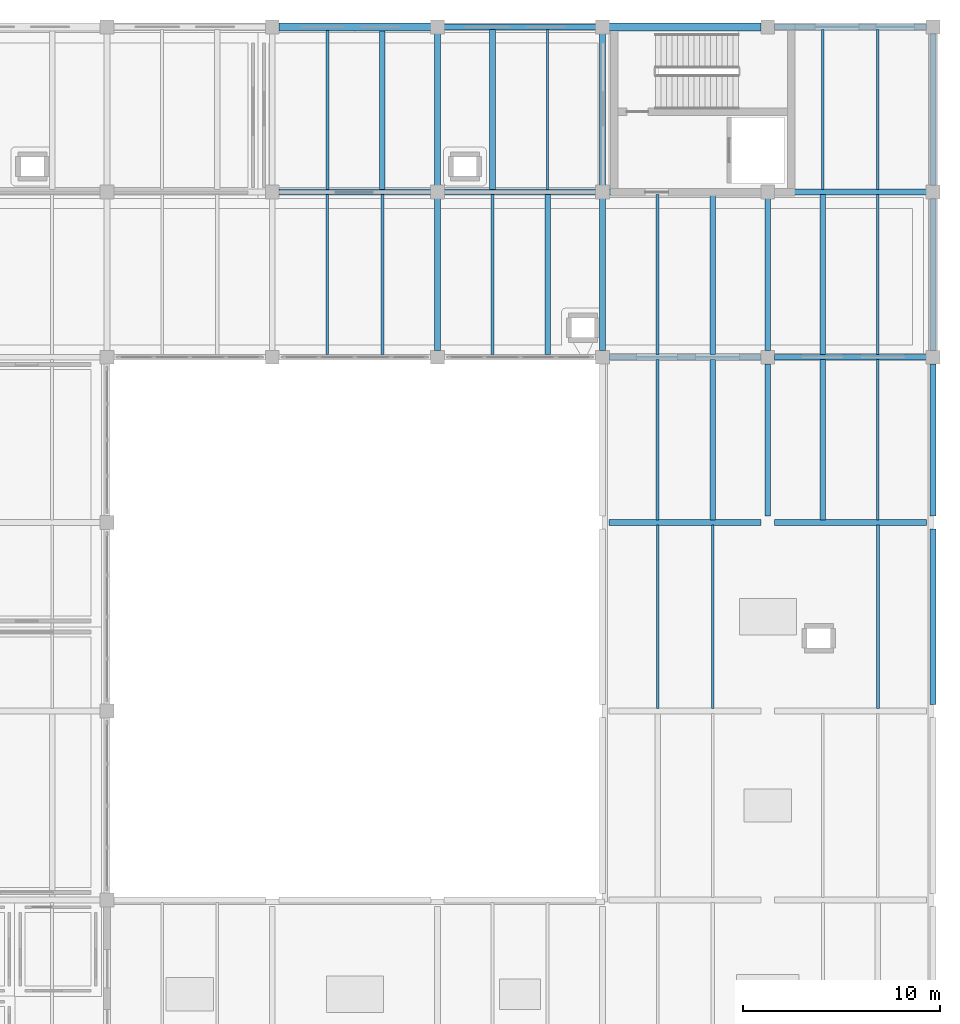
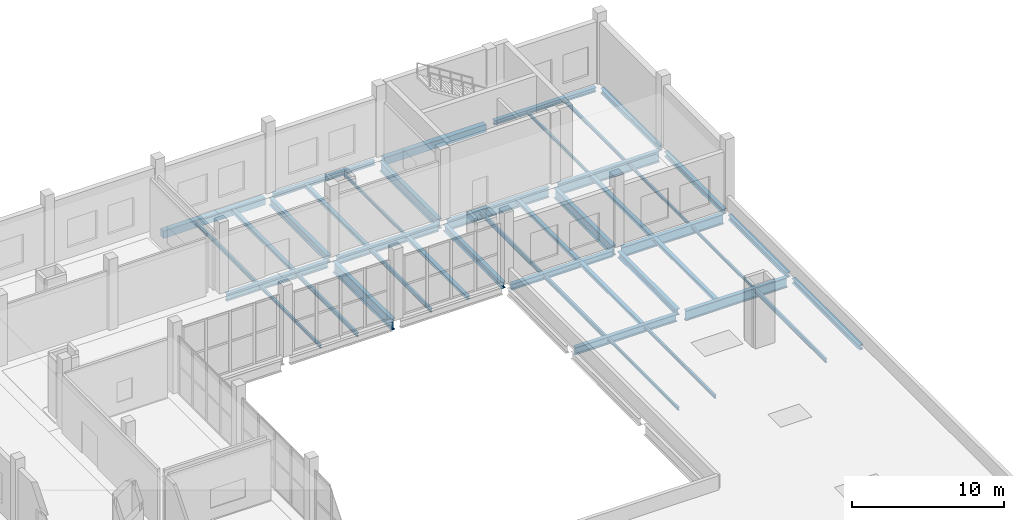
# One storey, part 27 of 49: 43 beams.
"""IFC4 building model written with IfcOpenShell, lengths in metres."""

import ifcopenshell
import ifcopenshell.guid

model = None  # the IFC model being written
_history = None  # IfcOwnerHistory: only IFC2X3 demands one
_inside = {}  # id of a spatial element -> (the spatial element, [elements in it])
_under = {}  # id of a project, library or spatial element -> (it, [spatial elements below it])
_declared = {}  # id of a project -> (the project, [libraries it declares])
_typed = {}  # id of a type object -> (the type object, [elements of that type])
_made_of = {}  # id of a material, layer set ... -> (it, [elements and type objects made of it])


def new_model(schema):
    """Start an empty IFC model of exactly this schema.

    Asked for "IFC4X3", IfcOpenShell would pick the latest addendum, in which some entities
    have other attributes; the version numbers below select the first issue.
    IFC2X3 requires an IfcOwnerHistory on every rooted entity: one is made here for all.
    """
    global model, _history
    if schema == "IFC4X3":
        model = ifcopenshell.file(schema_version=(4, 3, 0, 0))
    else:
        model = ifcopenshell.file(schema=schema)
    _inside.clear()
    _under.clear()
    _declared.clear()
    _typed.clear()
    _made_of.clear()
    _history = None
    if model.schema == "IFC2X3":
        org = make("IfcOrganization", Name="unknown")
        user = make(
            "IfcPersonAndOrganization",
            ThePerson=make("IfcPerson", FamilyName="unknown"),
            TheOrganization=org,
        )
        app = make(
            "IfcApplication",
            ApplicationDeveloper=org,
            Version="unknown",
            ApplicationFullName="unknown",
            ApplicationIdentifier="unknown",
        )
        _history = make(
            "IfcOwnerHistory",
            OwningUser=user,
            OwningApplication=app,
            ChangeAction="ADDED",
            CreationDate=0,
        )
    return model


def make(cls, **values):
    """One entity of the class cls with the attributes given. An attribute that is None is left unset."""
    return model.create_entity(
        cls, **{name: value for name, value in values.items() if value is not None}
    )


def rooted(cls, **values):
    """An entity with a GlobalId (a new one), such as an element, a storey or a relation."""
    return make(cls, GlobalId=ifcopenshell.guid.new(), OwnerHistory=_history, **values)


def si_unit(unit_type, name, prefix=None):
    """IfcSIUnit, for example si_unit("LENGTHUNIT", "METRE", prefix="MILLI")."""
    return make("IfcSIUnit", UnitType=unit_type, Prefix=prefix, Name=name)


def assignment(units):
    """IfcUnitAssignment: the units of a project."""
    return None if units is None else make("IfcUnitAssignment", Units=units)


def point(xyz):
    """IfcCartesianPoint."""
    return None if xyz is None else make("IfcCartesianPoint", Coordinates=xyz)


def direction(xyz):
    """IfcDirection."""
    return None if xyz is None else make("IfcDirection", DirectionRatios=xyz)


def frame(location, z_axis=None, x_axis=None):
    """IfcAxis2Placement3D, a coordinate frame: its origin and axes. An axis left out is left unset."""
    return make(
        "IfcAxis2Placement3D",
        Location=point(location),
        Axis=direction(z_axis),
        RefDirection=direction(x_axis),
    )


def frame_2d(location, x_axis=None):
    """IfcAxis2Placement2D, a coordinate frame in the plane: its origin and x axis."""
    return make(
        "IfcAxis2Placement2D", Location=point(location), RefDirection=direction(x_axis)
    )


def origin():
    """The frame at (0, 0, 0) with its axes left unset."""
    return frame((0.0, 0.0, 0.0))


def origin_2d():
    """The frame at (0, 0) in the plane with its x axis left unset."""
    return frame_2d((0.0, 0.0))


def place(relative_to, where):
    """IfcLocalPlacement: puts the frame where relative to a parent placement (None: the world)."""
    return make(
        "IfcLocalPlacement", PlacementRelTo=relative_to, RelativePlacement=where
    )


def context(
    kind, dimensions, precision=None, world=None, true_north=None, identifier=None
):
    """IfcGeometricRepresentationContext, for example the 3D "Model" context."""
    return make(
        "IfcGeometricRepresentationContext",
        ContextIdentifier=identifier,
        ContextType=kind,
        CoordinateSpaceDimension=dimensions,
        Precision=precision,
        WorldCoordinateSystem=world,
        TrueNorth=true_north,
    )


def subcontext(parent, identifier, kind, view, scale=None):
    """IfcGeometricRepresentationSubContext, for example "Body" below "Model"."""
    return make(
        "IfcGeometricRepresentationSubContext",
        ContextIdentifier=identifier,
        ContextType=kind,
        ParentContext=parent,
        TargetScale=scale,
        TargetView=view,
    )


def project(units=None, contexts=None):
    """IfcProject with its units and contexts."""
    return rooted(
        "IfcProject",
        Name="project",
        RepresentationContexts=contexts,
        UnitsInContext=assignment(units),
    )


def spatial(cls, under=None, at=None, **own):
    """A site, building, storey or space (cls), placed at a placement, below another one or the project."""
    s = rooted(cls, ObjectPlacement=at, **own)
    if under is not None:
        _under.setdefault(under.id(), (under, []))[1].append(s)
    return s


def profile(cls, at=None, kind="AREA", **sizes):
    """A parametric profile (cls). Its sizes go by their IFC names, for example OverallWidth=200.0."""
    return make(cls, ProfileType=kind, Position=at, **sizes)


def rectangle(**sizes):
    """IfcRectangleProfileDef."""
    return profile("IfcRectangleProfileDef", **sizes)


def i_section(**sizes):
    """IfcIShapeProfileDef."""
    return profile("IfcIShapeProfileDef", **sizes)


def extrude(swept, where, along, depth):
    """IfcExtrudedAreaSolid: the profile swept, set in the frame where, extruded along a direction by depth."""
    return make(
        "IfcExtrudedAreaSolid",
        SweptArea=swept,
        Position=where,
        ExtrudedDirection=direction(along),
        Depth=depth,
    )


def shape(context_of_items, identifier, shape_type, items):
    """IfcShapeRepresentation: the items that make up one representation, for example the "Body"."""
    return make(
        "IfcShapeRepresentation",
        ContextOfItems=context_of_items,
        RepresentationIdentifier=identifier,
        RepresentationType=shape_type,
        Items=items,
    )


def material(Name=None, Category=None):
    """IfcMaterial."""
    return make("IfcMaterial", Name=Name, Category=Category)


def material_profile(
    of_material, cross_section, Name=None, Category=None, Priority=None
):
    """IfcMaterialProfile: a cross section and its material."""
    return make(
        "IfcMaterialProfile",
        Name=Name,
        Material=of_material,
        Profile=cross_section,
        Priority=Priority,
        Category=Category,
    )


def profile_set(profiles, Name=None, composite=None):
    """IfcMaterialProfileSet."""
    return make(
        "IfcMaterialProfileSet",
        Name=Name,
        MaterialProfiles=profiles,
        CompositeProfile=composite,
    )


def made_of(thing, what):
    """Note that an element or type object is made of a material, layer set ...; save() writes the relation."""
    if what is not None:
        _made_of.setdefault(what.id(), (what, []))[1].append(thing)
    return thing


def type_object(cls, material=None, **own):
    """A type object (cls), such as IfcWallType, which elements share."""
    return made_of(rooted(cls, **own), material)


def element(
    cls,
    number,
    at=None,
    inside=None,
    cuts=None,
    type_object=None,
    material=None,
    context=None,
    identifier="Body",
    shape_type=None,
    held_by="IfcProductDefinitionShape",
    body=None,
    shapes=None,
    **own,
):
    """One element of the class cls, such as IfcWall. Its Tag is "e" and its number.

    at: its placement. inside: the storey or other place that contains it. cuts: it is an
    opening in that element (IfcRelVoidsElement). A single representation is given by context,
    identifier, shape_type and body (its items); several are given by shapes. held_by: the class
    of the entity that holds the representations. save() writes the other relations.
    """
    e = rooted(cls, Tag="e%d" % number, ObjectPlacement=at, **own)
    if body is not None:
        shapes = [shape(context, identifier, shape_type, body)]
    if shapes is not None:
        e.Representation = make(held_by, Representations=shapes)
    if inside is not None:
        _inside.setdefault(inside.id(), (inside, []))[1].append(e)
    if cuts is not None:
        rooted(
            "IfcRelVoidsElement", RelatingBuildingElement=cuts, RelatedOpeningElement=e
        )
    if type_object is not None:
        _typed.setdefault(type_object.id(), (type_object, []))[1].append(e)
    return made_of(e, material)


def aggregate(whole, parts):
    """IfcRelAggregates: a whole, such as a stair, and the parts it consists of."""
    return rooted("IfcRelAggregates", RelatingObject=whole, RelatedObjects=parts)


def save(model, path):
    """Write the relations noted so far, then the file.

    IfcRelAggregates (storeys below a building ...), IfcRelContainedInSpatialStructure (elements
    in a storey), IfcRelDefinesByType, IfcRelAssociatesMaterial and IfcRelDeclares: one each for
    every whole, place, type object, material and project.
    """
    for whole, parts in _under.values():
        aggregate(whole, parts)
    for where, things in _inside.values():
        rooted(
            "IfcRelContainedInSpatialStructure",
            RelatedElements=things,
            RelatingStructure=where,
        )
    for kind, things in _typed.values():
        rooted("IfcRelDefinesByType", RelatedObjects=things, RelatingType=kind)
    for what, things in _made_of.values():
        rooted("IfcRelAssociatesMaterial", RelatedObjects=things, RelatingMaterial=what)
    for by, libraries in _declared.values():
        rooted("IfcRelDeclares", RelatingContext=by, RelatedDefinitions=libraries)
    model.write(path)


model = new_model("IFC4")

# Units and contexts
model_context = context("Model", 3, precision=1e-05, world=origin(), true_north=direction((0.0, 1.0)))
body_context = subcontext(model_context, "Body", "Model", "MODEL_VIEW")
ifc_project = project(units=[si_unit("LENGTHUNIT", "METRE"), si_unit("AREAUNIT", "SQUARE_METRE"), si_unit("VOLUMEUNIT", "CUBIC_METRE"), si_unit("PLANEANGLEUNIT", "RADIAN"), si_unit("MASSUNIT", "GRAM", prefix="KILO")], contexts=[model_context])

# Site, building, storey
site_placement = place(None, origin())
site = spatial("IfcSite", under=ifc_project, at=site_placement, CompositionType="ELEMENT")
building_placement = place(site_placement, origin())
building = spatial("IfcBuilding", under=site, at=building_placement, Name="Zulmaris Art Gallery", CompositionType="ELEMENT")
storey_placement = place(building_placement, frame((0.0, 0.0, 20.699951171875)))
storey = spatial("IfcBuildingStorey", under=building, at=storey_placement, Name="L04", CompositionType="ELEMENT", Elevation=20.699951171875)

# Beams
ifc_material_1 = material(Name="Steel S355J2", Category="steel")
ifc_material_profile_1 = material_profile(ifc_material_1, i_section(OverallWidth=0.300048828125, OverallDepth=0.489990234375, WebThickness=0.011962890625, FlangeThickness=0.02294921875, FilletRadius=0.027099609375, at=origin_2d()), Name="HEA 500")
ifc_profile_set_1 = profile_set([ifc_material_profile_1], Name="Steel S355J2")
beam_type_1 = type_object("IfcBeamType", Name="BEAM-BM11", PredefinedType="BEAM", material=ifc_profile_set_1)
for number, where, z_axis, x_axis, name in (
    (1, (183.93505859375, 58.800048828125, -0.60498046875), (1.0, 0.0, 0.0), (0.0, 1.0, 0.0), "L04 X-girder (183.6..192.0, y=58.8)"),
    (2, (183.60009765625, 59.135009765625, -0.60498046875), (0.0, 1.0, 0.0), (-1.0, 0.0, 0.0), "L04 Y-girder (x=183.6, 58.8..67.2)"),
    (3, (192.0, 50.735107421875, -0.60498046875), (0.0, 1.0, 0.0), (-1.0, 0.0, 0.0), "L04 Y-girder (x=192.0, 50.4..58.8)"),
):
    element("IfcBeam", number, at=place(storey_placement, frame(where, z_axis=z_axis, x_axis=x_axis)), inside=storey, type_object=beam_type_1, Name=name, PredefinedType="BEAM", context=body_context, shape_type="SweptSolid", body=[
        extrude(i_section(OverallWidth=0.300048828125, OverallDepth=0.489990234375, WebThickness=0.011962890625, FlangeThickness=0.02294921875, FilletRadius=0.027099609375, at=origin_2d()), origin(), (0.0, 0.0, 1.0), 7.72998046875),
    ])
ifc_material_profile_2 = material_profile(ifc_material_1, i_section(OverallWidth=0.300048828125, OverallDepth=0.590087890625, WebThickness=0.012939453125, FlangeThickness=0.02490234375, FilletRadius=0.027099609375, at=origin_2d()), Name="HEA 600")
ifc_profile_set_2 = profile_set([ifc_material_profile_2], Name="Steel S355J2")
beam_type_2 = type_object("IfcBeamType", Name="BEAM-BM12", PredefinedType="BEAM", material=ifc_profile_set_2)
for number, where, z_axis, x_axis, name in (
    (4, (167.135009765625, 67.199951171875, -0.655029296875), (1.0, 0.0, 0.0), (0.0, 1.0, 0.0), "L04 X-girder (166.8..175.2, y=67.2)"),
    (5, (175.199951171875, 67.534912109375, -0.655029296875), (0.0, 1.0, 0.0), (-1.0, 0.0, 0.0), "L04 Y-girder (x=175.2, 67.2..75.6)"),
):
    element("IfcBeam", number, at=place(storey_placement, frame(where, z_axis=z_axis, x_axis=x_axis)), inside=storey, type_object=beam_type_2, Name=name, PredefinedType="BEAM", context=body_context, shape_type="SweptSolid", body=[
        extrude(i_section(OverallWidth=0.300048828125, OverallDepth=0.590087890625, WebThickness=0.012939453125, FlangeThickness=0.02490234375, FilletRadius=0.027099609375, at=origin_2d()), origin(), (0.0, 0.0, 1.0), 7.72998046875),
    ])
ifc_material_profile_3 = material_profile(ifc_material_1, i_section(OverallWidth=0.300048828125, OverallDepth=0.60009765625, WebThickness=0.015380859375, FlangeThickness=0.030029296875, FilletRadius=0.027099609375, at=origin_2d()), Name="HEB 600")
ifc_profile_set_3 = profile_set([ifc_material_profile_3], Name="Steel S355J2")
beam_type_3 = type_object("IfcBeamType", Name="BEAM-BM15", PredefinedType="BEAM", material=ifc_profile_set_3)
for number, where, z_axis, x_axis, name in (
    (6, (183.93505859375, 50.39990234375, -0.659912109375), (1.0, 0.0, 0.0), (0.0, 1.0, 0.0), "L04 X-girder (183.6..192.0, y=50.4)"),
    (7, (175.534912109375, 67.199951171875, -0.659912109375), (1.0, 0.0, 0.0), (0.0, 1.0, 0.0), "L04 X-girder (175.2..183.6, y=67.2)"),
):
    element("IfcBeam", number, at=place(storey_placement, frame(where, z_axis=z_axis, x_axis=x_axis)), inside=storey, type_object=beam_type_3, Name=name, PredefinedType="BEAM", context=body_context, shape_type="SweptSolid", body=[
        extrude(i_section(OverallWidth=0.300048828125, OverallDepth=0.60009765625, WebThickness=0.015380859375, FlangeThickness=0.030029296875, FilletRadius=0.027099609375, at=origin_2d()), origin(), (0.0, 0.0, 1.0), 7.72998046875),
    ])
ifc_material_profile_4 = material_profile(ifc_material_1, i_section(OverallWidth=0.300048828125, OverallDepth=0.800048828125, WebThickness=0.017578125, FlangeThickness=0.032958984375, FilletRadius=0.030029296875, at=origin_2d()), Name="HEB 800")
ifc_profile_set_4 = profile_set([ifc_material_profile_4], Name="Steel S355J2")
beam_type_4 = type_object("IfcBeamType", Name="BEAM-BM17", PredefinedType="BEAM", material=ifc_profile_set_4)
for number, where, z_axis, x_axis, name in (
    (8, (192.3349609375, 50.39990234375, -0.760009765625), (1.0, 0.0, 0.0), (0.0, 1.0, 0.0), "L04 X-girder (192.0..200.4, y=50.4)"),
    (9, (192.3349609375, 58.800048828125, -0.760009765625), (1.0, 0.0, 0.0), (0.0, 1.0, 0.0), "L04 X-girder (192.0..200.4, y=58.8)"),
    (10, (183.93505859375, 67.199951171875, -0.760009765625), (1.0, 0.0, 0.0), (0.0, 1.0, 0.0), "L04 X-girder (183.6..192.0, y=67.2)"),
    (11, (183.60009765625, 67.534912109375, -0.760009765625), (0.0, 1.0, 0.0), (-1.0, 0.0, 0.0), "L04 Y-girder (x=183.6, 67.2..75.6)"),
    (12, (192.0, 59.135009765625, -0.760009765625), (0.0, 1.0, 0.0), (-1.0, 0.0, 0.0), "L04 Y-girder (x=192.0, 58.8..67.2)"),
):
    element("IfcBeam", number, at=place(storey_placement, frame(where, z_axis=z_axis, x_axis=x_axis)), inside=storey, type_object=beam_type_4, Name=name, PredefinedType="BEAM", context=body_context, shape_type="SweptSolid", body=[
        extrude(i_section(OverallWidth=0.300048828125, OverallDepth=0.800048828125, WebThickness=0.017578125, FlangeThickness=0.032958984375, FilletRadius=0.030029296875, at=origin_2d()), origin(), (0.0, 0.0, 1.0), 7.72998046875),
    ])
ifc_material_profile_5 = material_profile(ifc_material_1, i_section(OverallWidth=0.300048828125, OverallDepth=0.89990234375, WebThickness=0.0185546875, FlangeThickness=0.034912109375, FilletRadius=0.030029296875, at=origin_2d()), Name="HEB 900")
ifc_profile_set_5 = profile_set([ifc_material_profile_5], Name="Steel S355J2")
beam_type_5 = type_object("IfcBeamType", Name="BEAM-BM18", PredefinedType="BEAM", material=ifc_profile_set_5)
for number, where, z_axis, x_axis, name in (
    (13, (192.3349609375, 67.199951171875, -0.81005859375), (1.0, 0.0, 0.0), (0.0, 1.0, 0.0), "L04 X-girder (192.0..200.4, y=67.2)"),
    (14, (175.199951171875, 59.135009765625, -0.81005859375), (0.0, 1.0, 0.0), (-1.0, 0.0, 0.0), "L04 Y-girder (x=175.2, 58.8..67.2)"),
):
    element("IfcBeam", number, at=place(storey_placement, frame(where, z_axis=z_axis, x_axis=x_axis)), inside=storey, type_object=beam_type_5, Name=name, PredefinedType="BEAM", context=body_context, shape_type="SweptSolid", body=[
        extrude(i_section(OverallWidth=0.300048828125, OverallDepth=0.89990234375, WebThickness=0.0185546875, FlangeThickness=0.034912109375, FilletRadius=0.030029296875, at=origin_2d()), origin(), (0.0, 0.0, 1.0), 7.72998046875),
    ])
ifc_material_profile_6 = material_profile(ifc_material_1, i_section(OverallWidth=0.1201171875, OverallDepth=0.239990234375, WebThickness=0.006103515625, FlangeThickness=0.009765625, FilletRadius=0.014892578125, at=origin_2d()), Name="IPE 240")
ifc_profile_set_6 = profile_set([ifc_material_profile_6], Name="Steel S355J2")
beam_type_6 = type_object("IfcBeamType", Name="BEAM-JS01", PredefinedType="JOIST", material=ifc_profile_set_6)
beam_1_placement = place(storey_placement, frame((180.800048828125, 67.324951171875, -0.47998046875), z_axis=(0.0, 1.0, 0.0), x_axis=(-1.0, 0.0, 0.0)))
element("IfcBeam", 15, at=beam_1_placement, inside=storey, type_object=beam_type_6, Name="L04 secondary joist at x=180.8", PredefinedType="JOIST", context=body_context, shape_type="SweptSolid", body=[
    extrude(i_section(OverallWidth=0.1201171875, OverallDepth=0.239990234375, WebThickness=0.006103515625, FlangeThickness=0.009765625, FilletRadius=0.014892578125, at=origin_2d()), origin(), (0.0, 0.0, 1.0), 8.150146484375),
])
beam_2_placement = place(storey_placement, frame((186.39990234375, 40.925048828125, -0.47998046875), z_axis=(0.0, 1.0, 0.0), x_axis=(-1.0, 0.0, 0.0)))
element("IfcBeam", 16, at=beam_2_placement, inside=storey, type_object=beam_type_6, Name="L04 secondary joist at x=186.4", PredefinedType="JOIST", context=body_context, shape_type="SweptSolid", body=[
    extrude(i_section(OverallWidth=0.1201171875, OverallDepth=0.239990234375, WebThickness=0.006103515625, FlangeThickness=0.009765625, FilletRadius=0.014892578125, at=origin_2d()), origin(), (0.0, 0.0, 1.0), 9.349853515625),
])
beam_3_placement = place(storey_placement, frame((197.60009765625, 50.52490234375, -0.47998046875), z_axis=(0.0, 1.0, 0.0), x_axis=(-1.0, 0.0, 0.0)))
element("IfcBeam", 17, at=beam_3_placement, inside=storey, type_object=beam_type_6, Name="L04 secondary joist at x=197.6", PredefinedType="JOIST", context=body_context, shape_type="SweptSolid", body=[
    extrude(i_section(OverallWidth=0.1201171875, OverallDepth=0.239990234375, WebThickness=0.006103515625, FlangeThickness=0.009765625, FilletRadius=0.014892578125, at=origin_2d()), origin(), (0.0, 0.0, 1.0), 8.150146484375),
])
beam_4_placement = place(storey_placement, frame((197.60009765625, 58.925048828125, -0.47998046875), z_axis=(0.0, 1.0, 0.0), x_axis=(-1.0, 0.0, 0.0)))
element("IfcBeam", 18, at=beam_4_placement, inside=storey, type_object=beam_type_6, Name="L04 secondary joist at x=197.6", PredefinedType="JOIST", context=body_context, shape_type="SweptSolid", body=[
    extrude(i_section(OverallWidth=0.1201171875, OverallDepth=0.239990234375, WebThickness=0.006103515625, FlangeThickness=0.009765625, FilletRadius=0.014892578125, at=origin_2d()), origin(), (0.0, 0.0, 1.0), 8.14990234375),
])
beam_5_placement = place(storey_placement, frame((194.800048828125, 67.324951171875, -0.47998046875), z_axis=(0.0, 1.0, 0.0), x_axis=(-1.0, 0.0, 0.0)))
element("IfcBeam", 19, at=beam_5_placement, inside=storey, type_object=beam_type_6, Name="L04 secondary joist at x=194.8", PredefinedType="JOIST", context=body_context, shape_type="SweptSolid", body=[
    extrude(i_section(OverallWidth=0.1201171875, OverallDepth=0.239990234375, WebThickness=0.006103515625, FlangeThickness=0.009765625, FilletRadius=0.014892578125, at=origin_2d()), origin(), (0.0, 0.0, 1.0), 8.150146484375),
])
ifc_material_profile_7 = material_profile(ifc_material_1, i_section(OverallWidth=0.135009765625, OverallDepth=0.27001953125, WebThickness=0.006591796875, FlangeThickness=0.01025390625, FilletRadius=0.014892578125, at=origin_2d()), Name="IPE 270")
ifc_profile_set_7 = profile_set([ifc_material_profile_7], Name="Steel S355J2")
beam_type_7 = type_object("IfcBeamType", Name="BEAM-JS02", PredefinedType="JOIST", material=ifc_profile_set_7)
beam_6_placement = place(storey_placement, frame((169.60009765625, 58.925048828125, -0.494873046875), z_axis=(0.0, 1.0, 0.0), x_axis=(-1.0, 0.0, 0.0)))
element("IfcBeam", 20, at=beam_6_placement, inside=storey, type_object=beam_type_7, Name="L04 secondary joist at x=169.6", PredefinedType="JOIST", context=body_context, shape_type="SweptSolid", body=[
    extrude(i_section(OverallWidth=0.135009765625, OverallDepth=0.27001953125, WebThickness=0.006591796875, FlangeThickness=0.01025390625, FilletRadius=0.014892578125, at=origin_2d()), origin(), (0.0, 0.0, 1.0), 8.14990234375),
])
beam_7_placement = place(storey_placement, frame((189.199951171875, 40.925048828125, -0.494873046875), z_axis=(0.0, 1.0, 0.0), x_axis=(-1.0, 0.0, 0.0)))
element("IfcBeam", 21, at=beam_7_placement, inside=storey, type_object=beam_type_7, Name="L04 secondary joist at x=189.2", PredefinedType="JOIST", context=body_context, shape_type="SweptSolid", body=[
    extrude(i_section(OverallWidth=0.135009765625, OverallDepth=0.27001953125, WebThickness=0.006591796875, FlangeThickness=0.01025390625, FilletRadius=0.014892578125, at=origin_2d()), origin(), (0.0, 0.0, 1.0), 9.349853515625),
])
beam_8_placement = place(storey_placement, frame((197.60009765625, 67.324951171875, -0.494873046875), z_axis=(0.0, 1.0, 0.0), x_axis=(-1.0, 0.0, 0.0)))
element("IfcBeam", 22, at=beam_8_placement, inside=storey, type_object=beam_type_7, Name="L04 secondary joist at x=197.6", PredefinedType="JOIST", context=body_context, shape_type="SweptSolid", body=[
    extrude(i_section(OverallWidth=0.135009765625, OverallDepth=0.27001953125, WebThickness=0.006591796875, FlangeThickness=0.01025390625, FilletRadius=0.014892578125, at=origin_2d()), origin(), (0.0, 0.0, 1.0), 8.150146484375),
])
ifc_material_profile_8 = material_profile(ifc_material_1, i_section(OverallWidth=0.159912109375, OverallDepth=0.330078125, WebThickness=0.007568359375, FlangeThickness=0.011474609375, FilletRadius=0.01806640625, at=origin_2d()), Name="IPE 330")
ifc_profile_set_8 = profile_set([ifc_material_profile_8], Name="Steel S355J2")
beam_type_8 = type_object("IfcBeamType", Name="BEAM-JS03", PredefinedType="JOIST", material=ifc_profile_set_8)
beam_9_placement = place(storey_placement, frame((172.39990234375, 58.925048828125, -0.52490234375), z_axis=(0.0, 1.0, 0.0), x_axis=(-1.0, 0.0, 0.0)))
element("IfcBeam", 23, at=beam_9_placement, inside=storey, type_object=beam_type_8, Name="L04 secondary joist at x=172.4", PredefinedType="JOIST", context=body_context, shape_type="SweptSolid", body=[
    extrude(i_section(OverallWidth=0.159912109375, OverallDepth=0.330078125, WebThickness=0.007568359375, FlangeThickness=0.011474609375, FilletRadius=0.01806640625, at=origin_2d()), origin(), (0.0, 0.0, 1.0), 8.14990234375),
])
beam_10_placement = place(storey_placement, frame((169.60009765625, 67.324951171875, -0.52490234375), z_axis=(0.0, 1.0, 0.0), x_axis=(-1.0, 0.0, 0.0)))
element("IfcBeam", 24, at=beam_10_placement, inside=storey, type_object=beam_type_8, Name="L04 secondary joist at x=169.6", PredefinedType="JOIST", context=body_context, shape_type="SweptSolid", body=[
    extrude(i_section(OverallWidth=0.159912109375, OverallDepth=0.330078125, WebThickness=0.007568359375, FlangeThickness=0.011474609375, FilletRadius=0.01806640625, at=origin_2d()), origin(), (0.0, 0.0, 1.0), 8.10009765625),
])
beam_11_placement = place(storey_placement, frame((178.0, 58.925048828125, -0.52490234375), z_axis=(0.0, 1.0, 0.0), x_axis=(-1.0, 0.0, 0.0)))
element("IfcBeam", 25, at=beam_11_placement, inside=storey, type_object=beam_type_8, Name="L04 secondary joist at x=178.0", PredefinedType="JOIST", context=body_context, shape_type="SweptSolid", body=[
    extrude(i_section(OverallWidth=0.159912109375, OverallDepth=0.330078125, WebThickness=0.007568359375, FlangeThickness=0.011474609375, FilletRadius=0.01806640625, at=origin_2d()), origin(), (0.0, 0.0, 1.0), 8.14990234375),
])
beam_12_placement = place(storey_placement, frame((186.39990234375, 50.52490234375, -0.52490234375), z_axis=(0.0, 1.0, 0.0), x_axis=(-1.0, 0.0, 0.0)))
element("IfcBeam", 26, at=beam_12_placement, inside=storey, type_object=beam_type_8, Name="L04 secondary joist at x=186.4", PredefinedType="JOIST", context=body_context, shape_type="SweptSolid", body=[
    extrude(i_section(OverallWidth=0.159912109375, OverallDepth=0.330078125, WebThickness=0.007568359375, FlangeThickness=0.011474609375, FilletRadius=0.01806640625, at=origin_2d()), origin(), (0.0, 0.0, 1.0), 8.150146484375),
])
beam_13_placement = place(storey_placement, frame((186.39990234375, 58.925048828125, -0.52490234375), z_axis=(0.0, 1.0, 0.0), x_axis=(-1.0, 0.0, 0.0)))
element("IfcBeam", 27, at=beam_13_placement, inside=storey, type_object=beam_type_8, Name="L04 secondary joist at x=186.4", PredefinedType="JOIST", context=body_context, shape_type="SweptSolid", body=[
    extrude(i_section(OverallWidth=0.159912109375, OverallDepth=0.330078125, WebThickness=0.007568359375, FlangeThickness=0.011474609375, FilletRadius=0.01806640625, at=origin_2d()), origin(), (0.0, 0.0, 1.0), 8.14990234375),
])
beam_14_placement = place(storey_placement, frame((197.60009765625, 40.925048828125, -0.52490234375), z_axis=(0.0, 1.0, 0.0), x_axis=(-1.0, 0.0, 0.0)))
element("IfcBeam", 28, at=beam_14_placement, inside=storey, type_object=beam_type_8, Name="L04 secondary joist at x=197.6", PredefinedType="JOIST", context=body_context, shape_type="SweptSolid", body=[
    extrude(i_section(OverallWidth=0.159912109375, OverallDepth=0.330078125, WebThickness=0.007568359375, FlangeThickness=0.011474609375, FilletRadius=0.01806640625, at=origin_2d()), origin(), (0.0, 0.0, 1.0), 9.349853515625),
])
ifc_material_profile_9 = material_profile(ifc_material_1, i_section(OverallWidth=0.280029296875, OverallDepth=0.27001953125, WebThickness=0.008056640625, FlangeThickness=0.012939453125, FilletRadius=0.02392578125, at=origin_2d()), Name="HEA 280")
ifc_profile_set_9 = profile_set([ifc_material_profile_9], Name="Steel S355J2")
beam_type_9 = type_object("IfcBeamType", Name="BEAM-JS04", PredefinedType="JOIST", material=ifc_profile_set_9)
beam_15_placement = place(storey_placement, frame((172.39990234375, 67.324951171875, -0.494873046875), z_axis=(0.0, 1.0, 0.0), x_axis=(-1.0, 0.0, 0.0)))
element("IfcBeam", 29, at=beam_15_placement, inside=storey, type_object=beam_type_9, Name="L04 secondary joist at x=172.4", PredefinedType="JOIST", context=body_context, shape_type="SweptSolid", body=[
    extrude(i_section(OverallWidth=0.280029296875, OverallDepth=0.27001953125, WebThickness=0.008056640625, FlangeThickness=0.012939453125, FilletRadius=0.02392578125, at=origin_2d()), origin(), (0.0, 0.0, 1.0), 8.10009765625),
])
beam_16_placement = place(storey_placement, frame((180.800048828125, 58.925048828125, -0.494873046875), z_axis=(0.0, 1.0, 0.0), x_axis=(-1.0, 0.0, 0.0)))
element("IfcBeam", 30, at=beam_16_placement, inside=storey, type_object=beam_type_9, Name="L04 secondary joist at x=180.8", PredefinedType="JOIST", context=body_context, shape_type="SweptSolid", body=[
    extrude(i_section(OverallWidth=0.280029296875, OverallDepth=0.27001953125, WebThickness=0.008056640625, FlangeThickness=0.012939453125, FilletRadius=0.02392578125, at=origin_2d()), origin(), (0.0, 0.0, 1.0), 8.14990234375),
])
for number, where, z_axis, x_axis, name in (
    (31, (178.0, 67.324951171875, -0.494873046875), (0.0, 1.0, 0.0), (-1.0, 0.0, 0.0), "L04 secondary joist at x=178.0"),
    (32, (189.199951171875, 50.52490234375, -0.494873046875), (0.0, 1.0, 0.0), (-1.0, 0.0, 0.0), "L04 secondary joist at x=189.2"),
):
    element("IfcBeam", number, at=place(storey_placement, frame(where, z_axis=z_axis, x_axis=x_axis)), inside=storey, type_object=beam_type_9, Name=name, PredefinedType="JOIST", context=body_context, shape_type="SweptSolid", body=[
        extrude(i_section(OverallWidth=0.280029296875, OverallDepth=0.27001953125, WebThickness=0.008056640625, FlangeThickness=0.012939453125, FilletRadius=0.02392578125, at=origin_2d()), origin(), (0.0, 0.0, 1.0), 8.150146484375),
    ])
beam_17_placement = place(storey_placement, frame((189.199951171875, 58.925048828125, -0.494873046875), z_axis=(0.0, 1.0, 0.0), x_axis=(-1.0, 0.0, 0.0)))
element("IfcBeam", 33, at=beam_17_placement, inside=storey, type_object=beam_type_9, Name="L04 secondary joist at x=189.2", PredefinedType="JOIST", context=body_context, shape_type="SweptSolid", body=[
    extrude(i_section(OverallWidth=0.280029296875, OverallDepth=0.27001953125, WebThickness=0.008056640625, FlangeThickness=0.012939453125, FilletRadius=0.02392578125, at=origin_2d()), origin(), (0.0, 0.0, 1.0), 8.14990234375),
])
beam_18_placement = place(storey_placement, frame((194.800048828125, 50.52490234375, -0.494873046875), z_axis=(0.0, 1.0, 0.0), x_axis=(-1.0, 0.0, 0.0)))
element("IfcBeam", 34, at=beam_18_placement, inside=storey, type_object=beam_type_9, Name="L04 secondary joist at x=194.8", PredefinedType="JOIST", context=body_context, shape_type="SweptSolid", body=[
    extrude(i_section(OverallWidth=0.280029296875, OverallDepth=0.27001953125, WebThickness=0.008056640625, FlangeThickness=0.012939453125, FilletRadius=0.02392578125, at=origin_2d()), origin(), (0.0, 0.0, 1.0), 8.150146484375),
])
beam_19_placement = place(storey_placement, frame((194.800048828125, 58.925048828125, -0.494873046875), z_axis=(0.0, 1.0, 0.0), x_axis=(-1.0, 0.0, 0.0)))
element("IfcBeam", 35, at=beam_19_placement, inside=storey, type_object=beam_type_9, Name="L04 secondary joist at x=194.8", PredefinedType="JOIST", context=body_context, shape_type="SweptSolid", body=[
    extrude(i_section(OverallWidth=0.280029296875, OverallDepth=0.27001953125, WebThickness=0.008056640625, FlangeThickness=0.012939453125, FilletRadius=0.02392578125, at=origin_2d()), origin(), (0.0, 0.0, 1.0), 8.14990234375),
])
ifc_material_profile_10 = material_profile(ifc_material_1, i_section(OverallWidth=0.300048828125, OverallDepth=0.35009765625, WebThickness=0.010009765625, FlangeThickness=0.017578125, FilletRadius=0.027099609375, at=origin_2d()), Name="HEA 360")
ifc_profile_set_10 = profile_set([ifc_material_profile_10], Name="Steel S355J2")
beam_type_10 = type_object("IfcBeamType", Name="BEAM-SP01", PredefinedType="SPANDREL", material=ifc_profile_set_10)
for number, where, z_axis, x_axis, name in (
    (36, (175.534912109375, 75.60009765625, -0.534912109375), (1.0, 0.0, 0.0), (0.0, 1.0, 0.0), "L04 X-girder (175.2..183.6, y=75.6)"),
    (37, (192.3349609375, 75.60009765625, -0.534912109375), (1.0, 0.0, 0.0), (0.0, 1.0, 0.0), "L04 X-girder (192.0..200.4, y=75.6)"),
):
    element("IfcBeam", number, at=place(storey_placement, frame(where, z_axis=z_axis, x_axis=x_axis)), inside=storey, type_object=beam_type_10, Name=name, PredefinedType="SPANDREL", context=body_context, shape_type="SweptSolid", body=[
        extrude(i_section(OverallWidth=0.300048828125, OverallDepth=0.35009765625, WebThickness=0.010009765625, FlangeThickness=0.017578125, FilletRadius=0.027099609375, at=origin_2d()), origin(), (0.0, 0.0, 1.0), 7.72998046875),
    ])
ifc_material_profile_11 = material_profile(ifc_material_1, i_section(OverallWidth=0.300048828125, OverallDepth=0.39990234375, WebThickness=0.013427734375, FlangeThickness=0.02392578125, FilletRadius=0.027099609375, at=origin_2d()), Name="HEB 400")
ifc_profile_set_11 = profile_set([ifc_material_profile_11], Name="Steel S355J2")
beam_type_11 = type_object("IfcBeamType", Name="BEAM-SP02", PredefinedType="SPANDREL", material=ifc_profile_set_11)
beam_20_placement = place(storey_placement, frame((200.39990234375, 41.135009765625, -0.56005859375), z_axis=(0.0, 1.0, 0.0), x_axis=(-1.0, 0.0, 0.0)))
element("IfcBeam", 38, at=beam_20_placement, inside=storey, type_object=beam_type_11, Name="L04 Y-girder (x=200.4, 40.8..50.4)", PredefinedType="SPANDREL", context=body_context, shape_type="SweptSolid", body=[
    extrude(i_section(OverallWidth=0.300048828125, OverallDepth=0.39990234375, WebThickness=0.013427734375, FlangeThickness=0.02392578125, FilletRadius=0.027099609375, at=origin_2d()), origin(), (0.0, 0.0, 1.0), 8.929931640625),
])
for number, where, z_axis, x_axis, name in (
    (39, (200.39990234375, 50.735107421875, -0.56005859375), (0.0, 1.0, 0.0), (-1.0, 0.0, 0.0), "L04 Y-girder (x=200.4, 50.4..58.8)"),
    (40, (200.39990234375, 59.135009765625, -0.56005859375), (0.0, 1.0, 0.0), (-1.0, 0.0, 0.0), "L04 Y-girder (x=200.4, 58.8..67.2)"),
    (41, (200.39990234375, 67.534912109375, -0.56005859375), (0.0, 1.0, 0.0), (-1.0, 0.0, 0.0), "L04 Y-girder (x=200.4, 67.2..75.6)"),
):
    element("IfcBeam", number, at=place(storey_placement, frame(where, z_axis=z_axis, x_axis=x_axis)), inside=storey, type_object=beam_type_11, Name=name, PredefinedType="SPANDREL", context=body_context, shape_type="SweptSolid", body=[
        extrude(i_section(OverallWidth=0.300048828125, OverallDepth=0.39990234375, WebThickness=0.013427734375, FlangeThickness=0.02392578125, FilletRadius=0.027099609375, at=origin_2d()), origin(), (0.0, 0.0, 1.0), 7.72998046875),
    ])
ifc_material_2 = material(Name="Concrete C40/50", Category="concrete")
ifc_material_profile_12 = material_profile(ifc_material_2, rectangle(XDim=0.39990234375, YDim=0.60009765625, at=origin_2d()), Name="RC 400x600")
ifc_profile_set_12 = profile_set([ifc_material_profile_12], Name="Concrete C40/50")
beam_type_12 = type_object("IfcBeamType", Name="BEAM-SP03", PredefinedType="SPANDREL", material=ifc_profile_set_12)
for number, where, z_axis, x_axis, name in (
    (42, (167.135009765625, 75.60009765625, -0.659912109375), (1.0, 0.0, 0.0), (0.0, 1.0, 0.0), "L04 X-girder (166.8..175.2, y=75.6)"),
    (43, (183.93505859375, 75.60009765625, -0.659912109375), (1.0, 0.0, 0.0), (0.0, 1.0, 0.0), "L04 X-girder (183.6..192.0, y=75.6)"),
):
    element("IfcBeam", number, at=place(storey_placement, frame(where, z_axis=z_axis, x_axis=x_axis)), inside=storey, type_object=beam_type_12, Name=name, PredefinedType="SPANDREL", context=body_context, shape_type="SweptSolid", body=[
        extrude(rectangle(XDim=0.39990234375, YDim=0.60009765625, at=origin_2d()), origin(), (0.0, 0.0, 1.0), 7.72998046875),
    ])

save(model, "model.ifc")
